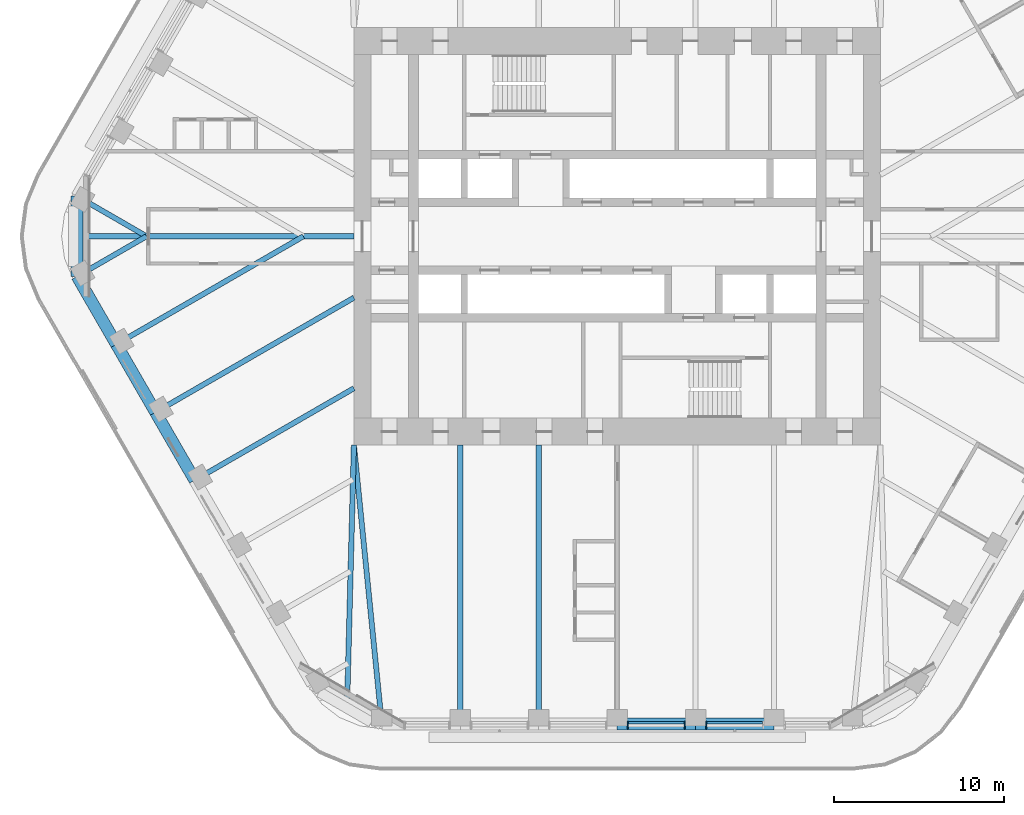
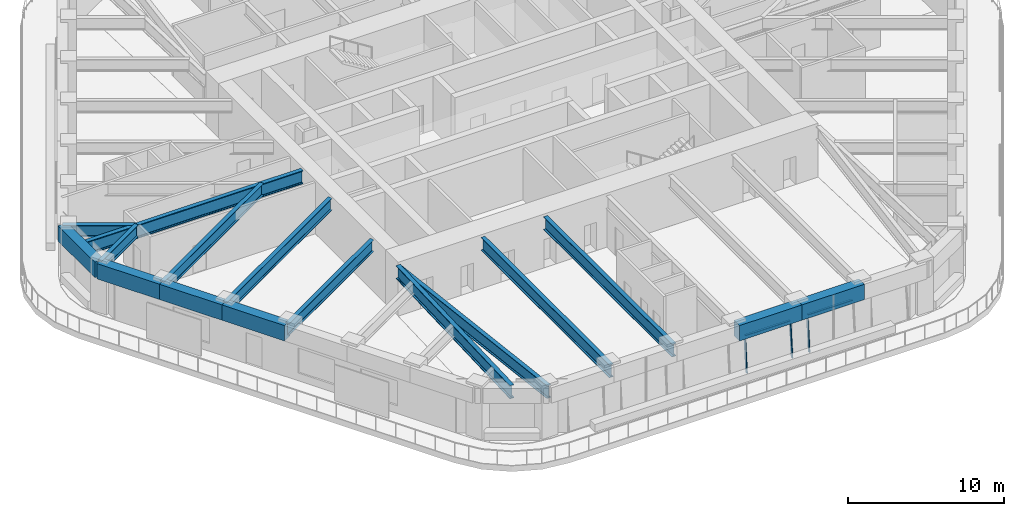
# One storey, part 3 of 20: 16 beams, 5 members, 2 elements without a shape of their own.
"""IFC4 building model written with IfcOpenShell, lengths in metres."""

from ifc_helpers import new_model, si_unit, direction, frame, origin, origin_2d, place, context, subcontext, project, spatial, rectangle, i_section, extrude, material, material_profile, profile_set, type_object, element, aggregate, save


model = new_model("IFC4")

# Units and contexts
model_context = context("Model", 3, precision=1e-05, world=origin(), true_north=direction((0.0, 1.0)))
body_context = subcontext(model_context, "Body", "Model", "MODEL_VIEW")
ifc_project = project(units=[si_unit("LENGTHUNIT", "METRE"), si_unit("AREAUNIT", "SQUARE_METRE"), si_unit("VOLUMEUNIT", "CUBIC_METRE"), si_unit("PLANEANGLEUNIT", "RADIAN"), si_unit("MASSUNIT", "GRAM", prefix="KILO")], contexts=[model_context])

# Site, building, storey
site_placement = place(None, origin())
site = spatial("IfcSite", under=ifc_project, at=site_placement, CompositionType="ELEMENT")
building_placement = place(site_placement, origin())
building = spatial("IfcBuilding", under=site, at=building_placement, Name="Tarfa Lantern Tower", CompositionType="ELEMENT")
storey_placement = place(building_placement, frame((0.0, 0.0, 274.300048828125)))
storey = spatial("IfcBuildingStorey", under=building, at=storey_placement, Name="L62", CompositionType="ELEMENT", Elevation=274.300048828125)

# Curtain wall, members
ifc_material_1 = material(Name="Aluminium framed curtain wall", Category="aluminium")
curtain_wall_type = type_object("IfcCurtainWallType", Name="CW3 CANTED GLAZING HIGH ZONE 2800", PredefinedType="USERDEFINED", material=ifc_material_1)
curtain_wall_1_placement = place(storey_placement, origin())
curtain_wall_1 = element("IfcCurtainWall", 1, at=curtain_wall_1_placement, inside=storey, type_object=curtain_wall_type, Name="CW3 S L62", ObjectType="CURTAIN WALL", PredefinedType="USERDEFINED")
ifc_material_2 = material(Name="Aluminium mullion", Category="aluminium")
ifc_material_profile_1 = material_profile(ifc_material_2, rectangle(XDim=0.06494140625, YDim=0.199951171875, at=origin_2d()), Name="AL MULLION 65x200")
ifc_profile_set_1 = profile_set([ifc_material_profile_1], Name="Aluminium mullion")
member_type_1 = type_object("IfcMemberType", Name="CWM1 MULLION 65x200", PredefinedType="MULLION", material=ifc_profile_set_1)
member_1_placement = place(storey_placement, frame((0.632568359375, -28.89990234375, 0.0), z_axis=(0.0, 0.088930399417, 0.996037842685), x_axis=(-1.0, 0.0, 0.0)))
member_1 = element("IfcMember", 2, at=member_1_placement, type_object=member_type_1, Name="CW3 mullion 1", PredefinedType="MULLION", context=body_context, shape_type="SweptSolid", body=[
    extrude(rectangle(XDim=0.06494140625, YDim=0.199951171875, at=origin_2d()), origin(), (0.0, 0.0, 1.0), 2.811279296875),
])
member_2_placement = place(storey_placement, frame((3.986328125, -28.89990234375, 0.0), z_axis=(0.0, 0.088930399417, 0.996037842685), x_axis=(-1.0, 0.0, 0.0)))
member_2 = element("IfcMember", 3, at=member_2_placement, type_object=member_type_1, Name="CW3 mullion 2", PredefinedType="MULLION", context=body_context, shape_type="SweptSolid", body=[
    extrude(rectangle(XDim=0.06494140625, YDim=0.199951171875, at=origin_2d()), origin(), (0.0, 0.0, 1.0), 2.811279296875),
])

# Curtain wall, member
curtain_wall_2_placement = place(storey_placement, origin())
curtain_wall_2 = element("IfcCurtainWall", 4, at=curtain_wall_2_placement, inside=storey, type_object=curtain_wall_type, Name="CW3 S L62", ObjectType="CURTAIN WALL", PredefinedType="USERDEFINED")
member_3_placement = place(storey_placement, frame((5.251220703125, -28.89990234375, 0.0), z_axis=(0.0, 0.088930399417, 0.996037842685), x_axis=(-1.0, 0.0, 0.0)))
member_3 = element("IfcMember", 5, at=member_3_placement, type_object=member_type_1, Name="CW3 mullion 1", PredefinedType="MULLION", context=body_context, shape_type="SweptSolid", body=[
    extrude(rectangle(XDim=0.06494140625, YDim=0.199951171875, at=origin_2d()), origin(), (0.0, 0.0, 1.0), 2.811279296875),
])

# Member
ifc_material_3 = material(Name="Aluminium transom", Category="aluminium")
ifc_material_profile_2 = material_profile(ifc_material_3, rectangle(XDim=0.14990234375, YDim=0.06494140625, at=origin_2d()), Name="AL TRANSOM 150x65")
ifc_profile_set_2 = profile_set([ifc_material_profile_2], Name="Aluminium transom")
member_type_2 = type_object("IfcMemberType", Name="CWT1 TRANSOM 150x65", PredefinedType="USERDEFINED", material=ifc_profile_set_2)
member_4_placement = place(storey_placement, frame((0.6650390625, -28.65283203125, 2.767333984375), z_axis=(1.0, 0.0, 0.0), x_axis=(0.0, 1.0, 0.0)))
member_4 = element("IfcMember", 6, at=member_4_placement, type_object=member_type_2, Name="CW3 transom 1.2", ObjectType="TRANSOM", PredefinedType="USERDEFINED", context=body_context, shape_type="SweptSolid", body=[
    extrude(rectangle(XDim=0.14990234375, YDim=0.06494140625, at=origin_2d()), origin(), (0.0, 0.0, 1.0), 3.288818359375),
])

aggregate(curtain_wall_1, [member_1, member_2, member_4])

member_5_placement = place(storey_placement, frame((5.28369140625, -28.65283203125, 2.767333984375), z_axis=(1.0, 0.0, 0.0), x_axis=(0.0, 1.0, 0.0)))
member_5 = element("IfcMember", 7, at=member_5_placement, type_object=member_type_2, Name="CW3 transom 1.2", ObjectType="TRANSOM", PredefinedType="USERDEFINED", context=body_context, shape_type="SweptSolid", body=[
    extrude(rectangle(XDim=0.14990234375, YDim=0.06494140625, at=origin_2d()), origin(), (0.0, 0.0, 1.0), 3.288818359375),
])

aggregate(curtain_wall_2, [member_3, member_5])

# Beams
ifc_material_4 = material(Name="Concrete C80/95", Category="concrete")
ifc_material_profile_3 = material_profile(ifc_material_4, rectangle(XDim=0.699951171875, YDim=1.199951171875, at=origin_2d()), Name="RC 700x1200")
ifc_profile_set_3 = profile_set([ifc_material_profile_3], Name="Concrete C80/95")
beam_type_1 = type_object("IfcBeamType", Name="EB3 RC 700x1200", PredefinedType="SPANDREL", material=ifc_profile_set_3)
beam_1_placement = place(storey_placement, frame((-31.800537109375, 2.360107421875, 3.39990234375), z_axis=(0.0, -1.0, 0.0), x_axis=(1.0, 0.0, 0.0)))
element("IfcBeam", 8, at=beam_1_placement, inside=storey, type_object=beam_type_1, Name="Edge beam NW6", PredefinedType="SPANDREL", context=body_context, shape_type="SweptSolid", body=[
    extrude(rectangle(XDim=0.699951171875, YDim=1.199951171875, at=origin_2d()), origin(), (0.0, 0.0, 1.0), 4.72021484375),
])
beam_2_placement = place(storey_placement, frame((-31.800537109375, -2.360107421875, 3.39990234375), z_axis=(0.500027479704, -0.866009537788, 0.0), x_axis=(0.866009537788, 0.500027479704, 0.0)))
element("IfcBeam", 9, at=beam_2_placement, inside=storey, type_object=beam_type_1, Name="Edge beam SW0", PredefinedType="SPANDREL", context=body_context, shape_type="SweptSolid", body=[
    extrude(rectangle(XDim=0.699951171875, YDim=1.199951171875, at=origin_2d()), origin(), (0.0, 0.0, 1.0), 4.618896484375),
])
for number, where, z_axis, x_axis, name in (
    (10, (-29.490966796875, -6.360107421875, 3.39990234375), (0.499987836815, -0.866032426089, 0.0), (0.866032426089, 0.499987836815, 0.0), "Edge beam SW1"),
    (11, (-27.181640625, -10.360107421875, 3.39990234375), (0.499987836815, -0.866032426089, 0.0), (0.866032426089, 0.499987836815, 0.0), "Edge beam SW2"),
):
    element("IfcBeam", number, at=place(storey_placement, frame(where, z_axis=z_axis, x_axis=x_axis)), inside=storey, type_object=beam_type_1, Name=name, PredefinedType="SPANDREL", context=body_context, shape_type="SweptSolid", body=[
        extrude(rectangle(XDim=0.699951171875, YDim=1.199951171875, at=origin_2d()), origin(), (0.0, 0.0, 1.0), 4.61865234375),
    ])
beam_3_placement = place(storey_placement, frame((0.0, -28.719970703125, 3.39990234375), z_axis=(1.0, 0.0, 0.0), x_axis=(0.0, 1.0, 0.0)))
element("IfcBeam", 12, at=beam_3_placement, inside=storey, type_object=beam_type_1, Name="Edge beam S3", PredefinedType="SPANDREL", context=body_context, shape_type="SweptSolid", body=[
    extrude(rectangle(XDim=0.699951171875, YDim=1.199951171875, at=origin_2d()), origin(), (0.0, 0.0, 1.0), 4.618896484375),
])
beam_4_placement = place(storey_placement, frame((4.618896484375, -28.719970703125, 3.39990234375), z_axis=(1.0, 0.0, 0.0), x_axis=(0.0, 1.0, 0.0)))
element("IfcBeam", 13, at=beam_4_placement, inside=storey, type_object=beam_type_1, Name="Edge beam S4", PredefinedType="SPANDREL", context=body_context, shape_type="SweptSolid", body=[
    extrude(rectangle(XDim=0.699951171875, YDim=1.199951171875, at=origin_2d()), origin(), (0.0, 0.0, 1.0), 4.61865234375),
])
ifc_material_5 = material(Name="Steel S460M", Category="steel")
ifc_material_profile_4 = material_profile(ifc_material_5, i_section(OverallWidth=0.302001953125, OverallDepth=1.008056640625, WebThickness=0.02099609375, FlangeThickness=0.0400390625, FilletRadius=0.030029296875, at=origin_2d()), Name="UB1016x305x349")
ifc_profile_set_4 = profile_set([ifc_material_profile_4], Name="Steel S460M")
beam_type_2 = type_object("IfcBeamType", Name="UB1016x305x349", PredefinedType="BEAM", material=ifc_profile_set_4)
beam_5_placement = place(storey_placement, frame((-13.8564453125, -28.719970703125, 3.495849609375), z_axis=(-0.099597466746, 0.995027810977, 0.0), x_axis=(-0.995027810977, -0.099597466746, 0.0)))
element("IfcBeam", 14, at=beam_5_placement, inside=storey, type_object=beam_type_2, Name="Floor beam S0", PredefinedType="BEAM", context=body_context, shape_type="SweptSolid", body=[
    extrude(i_section(OverallWidth=0.302001953125, OverallDepth=1.008056640625, WebThickness=0.02099609375, FlangeThickness=0.0400390625, FilletRadius=0.030029296875, at=origin_2d()), origin(), (0.0, 0.0, 1.0), 16.501953125),
])
for number, where, z_axis, x_axis, name in (
    (15, (-9.237548828125, -28.719970703125, 3.495849609375), (0.0, 1.0, 0.0), (-1.0, 0.0, 0.0), "Floor beam S1"),
    (16, (-4.618896484375, -28.719970703125, 3.495849609375), (0.0, 1.0, 0.0), (-1.0, 0.0, 0.0), "Floor beam S2"),
):
    element("IfcBeam", number, at=place(storey_placement, frame(where, z_axis=z_axis, x_axis=x_axis)), inside=storey, type_object=beam_type_2, Name=name, PredefinedType="BEAM", context=body_context, shape_type="SweptSolid", body=[
        extrude(i_section(OverallWidth=0.302001953125, OverallDepth=1.008056640625, WebThickness=0.02099609375, FlangeThickness=0.0400390625, FilletRadius=0.030029296875, at=origin_2d()), origin(), (0.0, 0.0, 1.0), 16.419921875),
    ])
ifc_material_profile_5 = material_profile(ifc_material_5, i_section(OverallWidth=0.30859375, OverallDepth=1.036376953125, WebThickness=0.030029296875, FlangeThickness=0.05419921875, FilletRadius=0.030029296875, at=origin_2d()), Name="UB1016x305x487")
ifc_profile_set_5 = profile_set([ifc_material_profile_5], Name="Steel S460M")
beam_type_3 = type_object("IfcBeamType", Name="UB1016x305x487", PredefinedType="BEAM", material=ifc_profile_set_5)
beam_6_placement = place(storey_placement, frame((-15.5, 0.0, 3.481689453125), z_axis=(-1.0, 0.0, 0.0), x_axis=(0.0, -1.0, 0.0)))
element("IfcBeam", 17, at=beam_6_placement, inside=storey, type_object=beam_type_3, Name="Hip girder W", PredefinedType="BEAM", context=body_context, shape_type="SweptSolid", body=[
    extrude(i_section(OverallWidth=0.30859375, OverallDepth=1.036376953125, WebThickness=0.030029296875, FlangeThickness=0.05419921875, FilletRadius=0.030029296875, at=origin_2d()), origin(), (0.0, 0.0, 1.0), 16.300537109375),
])
beam_7_placement = place(storey_placement, frame((-15.5, -12.300048828125, 3.481689453125), z_axis=(-0.026247301989, -0.999655480222, 0.0), x_axis=(0.999655480222, -0.026247301989, 0.0)))
element("IfcBeam", 18, at=beam_7_placement, inside=storey, type_object=beam_type_3, Name="Hip girder SW", PredefinedType="BEAM", context=body_context, shape_type="SweptSolid", body=[
    extrude(i_section(OverallWidth=0.30859375, OverallDepth=1.036376953125, WebThickness=0.030029296875, FlangeThickness=0.05419921875, FilletRadius=0.030029296875, at=origin_2d()), origin(), (0.0, 0.0, 1.0), 15.245361328125),
])
ifc_material_profile_6 = material_profile(ifc_material_5, i_section(OverallWidth=0.305419921875, OverallDepth=0.91845703125, WebThickness=0.017333984375, FlangeThickness=0.02783203125, FilletRadius=0.01904296875, at=origin_2d()), Name="UB914x305x253")
ifc_profile_set_6 = profile_set([ifc_material_profile_6], Name="Steel S460M")
beam_type_4 = type_object("IfcBeamType", Name="UB914x305x253", PredefinedType="BEAM", material=ifc_profile_set_6)
for number, where, z_axis, x_axis, name in (
    (19, (-31.800537109375, 2.360107421875, 3.540771484375), (0.866015897305, -0.500016465344, 0.0), (0.500016465344, 0.866015897305, 0.0), "Floor beam NW6"),
    (20, (-31.800537109375, -2.360107421875, 3.540771484375), (0.866015897305, 0.500016465344, 0.0), (-0.500016465344, 0.866015897305, 0.0), "Floor beam SW0"),
):
    element("IfcBeam", number, at=place(storey_placement, frame(where, z_axis=z_axis, x_axis=x_axis)), inside=storey, type_object=beam_type_4, Name=name, PredefinedType="BEAM", context=body_context, shape_type="SweptSolid", body=[
        extrude(i_section(OverallWidth=0.305419921875, OverallDepth=0.91845703125, WebThickness=0.017333984375, FlangeThickness=0.02783203125, FilletRadius=0.01904296875, at=origin_2d()), origin(), (0.0, 0.0, 1.0), 4.719970703125),
    ])
beam_8_placement = place(storey_placement, frame((-29.490966796875, -6.360107421875, 3.540771484375), z_axis=(0.866022258038, 0.500005448553, 0.0), x_axis=(-0.500005448553, 0.866022258038, 0.0)))
element("IfcBeam", 21, at=beam_8_placement, inside=storey, type_object=beam_type_4, Name="Floor beam SW1", PredefinedType="BEAM", context=body_context, shape_type="SweptSolid", body=[
    extrude(i_section(OverallWidth=0.305419921875, OverallDepth=0.91845703125, WebThickness=0.017333984375, FlangeThickness=0.02783203125, FilletRadius=0.01904296875, at=origin_2d()), origin(), (0.0, 0.0, 1.0), 12.719970703125),
])
beam_9_placement = place(storey_placement, frame((-27.181640625, -10.360107421875, 3.540771484375), z_axis=(0.866018002818, 0.500012818631, 0.0), x_axis=(-0.500012818631, 0.866018002818, 0.0)))
element("IfcBeam", 22, at=beam_9_placement, inside=storey, type_object=beam_type_4, Name="Floor beam SW2", PredefinedType="BEAM", context=body_context, shape_type="SweptSolid", body=[
    extrude(i_section(OverallWidth=0.305419921875, OverallDepth=0.91845703125, WebThickness=0.017333984375, FlangeThickness=0.02783203125, FilletRadius=0.01904296875, at=origin_2d()), origin(), (0.0, 0.0, 1.0), 13.489013671875),
])
beam_10_placement = place(storey_placement, frame((-24.872314453125, -14.360107421875, 3.540771484375), z_axis=(0.8660244219, 0.500001700669, 0.0), x_axis=(-0.500001700669, 0.8660244219, 0.0)))
element("IfcBeam", 23, at=beam_10_placement, inside=storey, type_object=beam_type_4, Name="Floor beam SW3", PredefinedType="BEAM", context=body_context, shape_type="SweptSolid", body=[
    extrude(i_section(OverallWidth=0.305419921875, OverallDepth=0.91845703125, WebThickness=0.017333984375, FlangeThickness=0.02783203125, FilletRadius=0.01904296875, at=origin_2d()), origin(), (0.0, 0.0, 1.0), 10.822265625),
])

save(model, "model.ifc")
